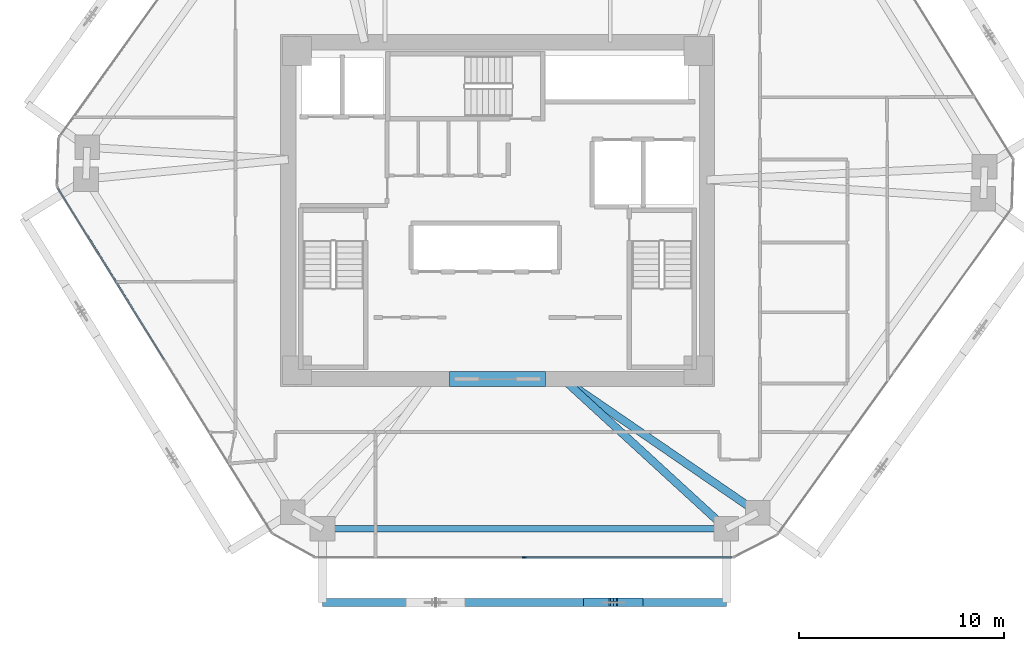
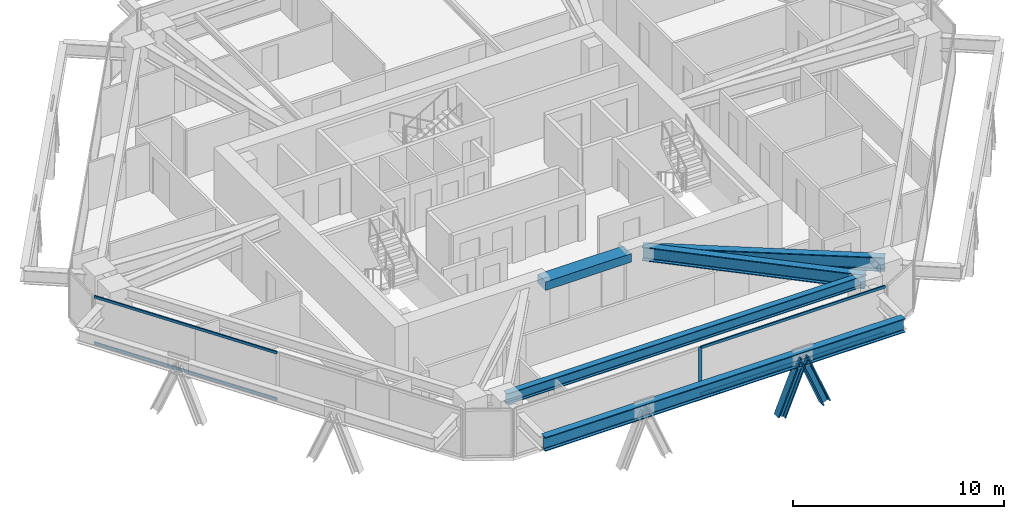
# One storey, part 3 of 17: 7 members, 5 beams, 2 elements without a shape of their own.
"""IFC4 building model written with IfcOpenShell, lengths in metres."""

from ifc_helpers import new_model, si_unit, direction, frame, origin, origin_2d, place, context, subcontext, project, spatial, rectangle, i_section, extrude, source, transform, mapped, material, layer, layer_set, material_profile, profile_set, type_object, type_shapes, element, aggregate, save


model = new_model("IFC4")

# Units and contexts
model_context = context("Model", 3, precision=1e-05, world=origin(), true_north=direction((0.0, 1.0)))
body_context = subcontext(model_context, "Body", "Model", "MODEL_VIEW")
ifc_project = project(units=[si_unit("LENGTHUNIT", "METRE"), si_unit("AREAUNIT", "SQUARE_METRE"), si_unit("VOLUMEUNIT", "CUBIC_METRE"), si_unit("PLANEANGLEUNIT", "RADIAN"), si_unit("MASSUNIT", "GRAM", prefix="KILO")], contexts=[model_context])

# Site, building, storey
site_placement = place(None, origin())
site = spatial("IfcSite", under=ifc_project, at=site_placement, CompositionType="ELEMENT")
building_placement = place(site_placement, origin())
building = spatial("IfcBuilding", under=site, at=building_placement, Name="Durnholm Broadcast Tower", CompositionType="ELEMENT")
storey_placement = place(building_placement, frame((0.0, 0.0, 137.10009765625)))
storey = spatial("IfcBuildingStorey", under=building, at=storey_placement, Name="L37", CompositionType="ELEMENT", Elevation=137.10009765625)

# Beams
ifc_material_1 = material(Name="Concrete C70/85", Category="concrete")
ifc_material_profile_1 = material_profile(ifc_material_1, rectangle(XDim=0.75, YDim=0.5, at=origin_2d()), Name="RC750X500")
ifc_profile_set_1 = profile_set([ifc_material_profile_1], Name="Concrete C70/85")
beam_type_1 = type_object("IfcBeamType", Name="BM-CB-RC500", PredefinedType="LINTEL", material=ifc_profile_set_1)
shared_shape_1 = source(origin(), body_context, "Body", "SweptSolid", [
    extrude(rectangle(XDim=0.75, YDim=0.5, at=origin_2d()), origin(), (0.0, 0.0, 1.0), 4.7001953125),
])
type_shapes(beam_type_1, [shared_shape_1])
beam_1_placement = place(storey_placement, frame((-2.35009765625, -8.22509765625, 2.5048828125), z_axis=(1.0, 0.0, 0.0), x_axis=(0.0, 1.0, 0.0)))
element("IfcBeam", 1, at=beam_1_placement, inside=storey, type_object=beam_type_1, Name="L37 south core coupling lintel beam CB-S", PredefinedType="LINTEL", context=body_context, shape_type="MappedRepresentation", body=[
    mapped(shared_shape_1, transform((0.0, 0.0, 0.0), x_axis=(1.0, 0.0, 0.0), y_axis=(0.0, 1.0, 0.0), z_axis=(0.0, 0.0, 1.0), scale=1.0)),
])
ifc_material_2 = material(Name="Steel ASTM A992 Grade 50", Category="steel")
ifc_material_profile_2 = material_profile(ifc_material_2, i_section(OverallWidth=0.3291015625, OverallDepth=0.635009765625, WebThickness=0.017822265625, FlangeThickness=0.031005859375, FilletRadius=0.02783203125, at=origin_2d()), Name="W24X162")
ifc_profile_set_2 = profile_set([ifc_material_profile_2], Name="Steel ASTM A992 Grade 50")
beam_type_2 = type_object("IfcBeamType", Name="STL-SP-W24X162", PredefinedType="SPANDREL", material=ifc_profile_set_2)
shared_shape_2 = source(origin(), body_context, "Body", "SweptSolid", [
    extrude(i_section(OverallWidth=0.3291015625, OverallDepth=0.635009765625, WebThickness=0.017822265625, FlangeThickness=0.031005859375, FilletRadius=0.02783203125, at=origin_2d()), origin(), (0.0, 0.0, 1.0), 19.72802734375),
])
type_shapes(beam_type_2, [shared_shape_2])
beam_2_placement = place(storey_placement, frame((11.176025390625, -15.537109375, 2.427490234375), z_axis=(-1.0, 0.0, 0.0), x_axis=(0.0, -1.0, 0.0)))
element("IfcBeam", 2, at=beam_2_placement, inside=storey, type_object=beam_type_2, Name="L37 perimeter spandrel girder 11", PredefinedType="SPANDREL", context=body_context, shape_type="MappedRepresentation", body=[
    mapped(shared_shape_2, transform((0.0, 0.0, 0.0), x_axis=(1.0, 0.0, 0.0), y_axis=(0.0, 1.0, 0.0), z_axis=(0.0, 0.0, 1.0), scale=1.0)),
])
ifc_material_profile_3 = material_profile(ifc_material_2, i_section(OverallWidth=0.385009765625, OverallDepth=0.802978515625, WebThickness=0.023681640625, FlangeThickness=0.0419921875, FilletRadius=0.032958984375, at=origin_2d()), Name="W30X261")
ifc_profile_set_3 = profile_set([ifc_material_profile_3], Name="Steel ASTM A992 Grade 50")
beam_type_3 = type_object("IfcBeamType", Name="STL-GR-W30X261", PredefinedType="USERDEFINED", material=ifc_profile_set_3)
shared_shape_3 = source(origin(), body_context, "Body", "SweptSolid", [
    extrude(i_section(OverallWidth=0.385009765625, OverallDepth=0.802978515625, WebThickness=0.023681640625, FlangeThickness=0.0419921875, FilletRadius=0.032958984375, at=origin_2d()), origin(), (0.0, 0.0, 1.0), 11.533447265625),
])
beam_3_placement = place(storey_placement, frame((3.199951171875, -8.22509765625, 2.343505859375), z_axis=(0.824567182461, -0.565764051181, 0.0), x_axis=(0.565764051181, 0.824567182461, 0.0)))
element("IfcBeam", 3, at=beam_3_placement, inside=storey, type_object=beam_type_3, Name="L37 radial primary floor girder 10", ObjectType="GIRDER", PredefinedType="USERDEFINED", context=body_context, shape_type="MappedRepresentation", body=[
    mapped(shared_shape_3, transform((0.0, 0.0, 0.0), x_axis=(1.0, 0.0, 0.0), y_axis=(0.0, 1.0, 0.0), z_axis=(0.0, 0.0, 1.0), scale=1.0)),
])
shared_shape_4 = source(origin(), body_context, "Body", "SweptSolid", [
    extrude(i_section(OverallWidth=0.385009765625, OverallDepth=0.802978515625, WebThickness=0.023681640625, FlangeThickness=0.0419921875, FilletRadius=0.032958984375, at=origin_2d()), origin(), (0.0, 0.0, 1.0), 10.820556640625),
])
type_shapes(beam_type_3, [shared_shape_3, shared_shape_4])
beam_4_placement = place(storey_placement, frame((3.199951171875, -8.22509765625, 2.343505859375), z_axis=(0.737126042516, -0.675755279258, 0.0), x_axis=(0.675755279258, 0.737126042516, 0.0)))
element("IfcBeam", 4, at=beam_4_placement, inside=storey, type_object=beam_type_3, Name="L37 radial primary floor girder 11", ObjectType="GIRDER", PredefinedType="USERDEFINED", context=body_context, shape_type="MappedRepresentation", body=[
    mapped(shared_shape_4, transform((0.0, 0.0, 0.0), x_axis=(1.0, 0.0, 0.0), y_axis=(0.0, 1.0, 0.0), z_axis=(0.0, 0.0, 1.0), scale=1.0)),
])
ifc_material_profile_4 = material_profile(ifc_material_2, i_section(OverallWidth=0.385009765625, OverallDepth=0.802978515625, WebThickness=0.023681640625, FlangeThickness=0.0419921875, FilletRadius=0.032958984375, at=origin_2d()), Name="W30X261")
ifc_profile_set_4 = profile_set([ifc_material_profile_4], Name="Steel ASTM A992 Grade 50")
beam_type_4 = type_object("IfcBeamType", Name="BM-EXO-TIE", PredefinedType="USERDEFINED", material=ifc_profile_set_4)
shared_shape_5 = source(origin(), body_context, "Body", "SweptSolid", [
    extrude(i_section(OverallWidth=0.385009765625, OverallDepth=0.802978515625, WebThickness=0.023681640625, FlangeThickness=0.0419921875, FilletRadius=0.032958984375, at=origin_2d()), origin(), (0.0, 0.0, 1.0), 19.72802734375),
])
type_shapes(beam_type_4, [shared_shape_5])
beam_5_placement = place(storey_placement, frame((-8.552001953125, -19.136962890625, 2.008544921875), z_axis=(1.0, 0.0, 0.0), x_axis=(0.0, 1.0, 0.0)))
element("IfcBeam", 5, at=beam_5_placement, inside=storey, type_object=beam_type_4, Name="L37 exoskeleton collector spandrel F1", PredefinedType="SPANDREL", context=body_context, shape_type="MappedRepresentation", body=[
    mapped(shared_shape_5, transform((0.0, 0.0, 0.0), x_axis=(1.0, 0.0, 0.0), y_axis=(0.0, 1.0, 0.0), z_axis=(0.0, 0.0, 1.0), scale=1.0)),
])

# Members
ifc_material_3 = material(Name="Steel ASTM A913 Grade 65", Category="steel")
ifc_material_profile_5 = material_profile(ifc_material_3, i_section(OverallWidth=0.41845703125, OverallDepth=0.455078125, WebThickness=0.0419921875, FlangeThickness=0.067626953125, FilletRadius=0.030517578125, at=origin_2d()), Name="W14X370")
ifc_profile_set_5 = profile_set([ifc_material_profile_5], Name="Steel ASTM A913 Grade 65")
member_type_1 = type_object("IfcMemberType", Name="STL-DG-W14X370", PredefinedType="BRACE", material=ifc_profile_set_5)
shared_shape_6 = source(origin(), body_context, "Body", "SweptSolid", [
    extrude(i_section(OverallWidth=0.41845703125, OverallDepth=0.455078125, WebThickness=0.0419921875, FlangeThickness=0.067626953125, FilletRadius=0.030517578125, at=origin_2d()), origin(), (0.0, 0.0, 1.0), 3.243896484375),
])
member_1_placement = place(storey_placement, frame((4.41845703125, -19.136962890625, -0.991455078125), z_axis=(0.380378804119, 0.0, 0.924830776616), x_axis=(0.0, 1.0, 0.0)))
element("IfcMember", 6, at=member_1_placement, inside=storey, type_object=member_type_1, Name="L37 stand-off diagrid brace F1.D2.1", PredefinedType="BRACE", context=body_context, shape_type="MappedRepresentation", body=[
    mapped(shared_shape_6, transform((0.0, 0.0, 0.0), x_axis=(1.0, 0.0, 0.0), y_axis=(0.0, 1.0, 0.0), z_axis=(0.0, 0.0, 1.0), scale=1.0)),
])
shared_shape_7 = source(origin(), body_context, "Body", "SweptSolid", [
    extrude(i_section(OverallWidth=0.41845703125, OverallDepth=0.455078125, WebThickness=0.0419921875, FlangeThickness=0.067626953125, FilletRadius=0.030517578125, at=origin_2d()), origin(), (0.0, 0.0, 1.0), 3.24365234375),
])
type_shapes(member_type_1, [shared_shape_6, shared_shape_7])
member_2_placement = place(storey_placement, frame((6.885986328125, -19.136962890625, -0.991455078125), z_axis=(-0.380314428078, 0.0, 0.924857251578), x_axis=(0.0, -1.0, 0.0)))
element("IfcMember", 7, at=member_2_placement, inside=storey, type_object=member_type_1, Name="L37 stand-off diagrid brace F1.D2.2", PredefinedType="BRACE", context=body_context, shape_type="MappedRepresentation", body=[
    mapped(shared_shape_7, transform((0.0, 0.0, 0.0), x_axis=(1.0, 0.0, 0.0), y_axis=(0.0, 1.0, 0.0), z_axis=(0.0, 0.0, 1.0), scale=1.0)),
])

# Curtain wall, members
ifc_material_4 = material(Name="Aluminium and Solar Control IGU", Category="aluminium")
ifc_layer = layer(ifc_material_4, 0.18994140625)
ifc_layer_set = layer_set([ifc_layer], Name="Aluminium and Solar Control IGU")
curtain_wall_type = type_object("IfcCurtainWallType", Name="CW-SYS-3", PredefinedType="NOTDEFINED", material=ifc_layer_set)
curtain_wall_1_placement = place(storey_placement, origin())
curtain_wall_1 = element("IfcCurtainWall", 8, at=curtain_wall_1_placement, inside=storey, type_object=curtain_wall_type, Name="L37 curtain wall CW-Z12-VIS CW-L37-F10", PredefinedType="NOTDEFINED")
ifc_material_5 = material(Name="Aluminium 6063-T6", Category="aluminium")
ifc_material_profile_6 = material_profile(ifc_material_5, rectangle(XDim=0.070068359375, YDim=0.18994140625, at=origin_2d()), Name="CWM70X190")
ifc_profile_set_6 = profile_set([ifc_material_profile_6], Name="Aluminium 6063-T6")
member_type_2 = type_object("IfcMemberType", Name="CW-SYS-3-MUL", PredefinedType="MULLION", material=ifc_profile_set_6)
shared_shape_8 = source(origin(), body_context, "Body", "SweptSolid", [
    extrude(rectangle(XDim=0.070068359375, YDim=0.18994140625, at=origin_2d()), origin(), (0.0, 0.0, 1.0), 2.760009765625),
])
type_shapes(member_type_2, [shared_shape_8])
member_3_placement = place(storey_placement, frame((1.299560546875, -16.93701171875, 0.0), z_axis=(0.0, 0.0, 1.0), x_axis=(0.0, -1.0, 0.0)))
member_3 = element("IfcMember", 9, at=member_3_placement, type_object=member_type_2, Name="CW-Z12-VIS mullion 2", PredefinedType="MULLION", context=body_context, shape_type="MappedRepresentation", body=[
    mapped(shared_shape_8, transform((0.0, 0.0, 0.0), x_axis=(1.0, 0.0, 0.0), y_axis=(0.0, 1.0, 0.0), z_axis=(0.0, 0.0, 1.0), scale=1.0)),
])
ifc_material_profile_7 = material_profile(ifc_material_5, rectangle(XDim=0.070068359375, YDim=0.14990234375, at=origin_2d()), Name="CWT70X150")
ifc_profile_set_7 = profile_set([ifc_material_profile_7], Name="Aluminium 6063-T6")
member_type_3 = type_object("IfcMemberType", Name="CW-SYS-3-TRN", PredefinedType="USERDEFINED", material=ifc_profile_set_7)
shared_shape_9 = source(origin(), body_context, "Body", "SweptSolid", [
    extrude(rectangle(XDim=0.070068359375, YDim=0.14990234375, at=origin_2d()), origin(), (0.0, 0.0, 1.0), 10.109619140625),
])
member_4_placement = place(storey_placement, frame((11.444091796875, -16.93701171875, 0.034912109375), z_axis=(-1.0, 0.0, 0.0), x_axis=(0.0, -1.0, 0.0)))
member_4 = element("IfcMember", 10, at=member_4_placement, type_object=member_type_3, Name="CW-Z12-VIS transom 1.1", ObjectType="TRANSOM", PredefinedType="USERDEFINED", context=body_context, shape_type="MappedRepresentation", body=[
    mapped(shared_shape_9, transform((0.0, 0.0, 0.0), x_axis=(1.0, 0.0, 0.0), y_axis=(0.0, 1.0, 0.0), z_axis=(0.0, 0.0, 1.0), scale=1.0)),
])
member_5_placement = place(storey_placement, frame((11.444091796875, -16.93701171875, 2.724853515625), z_axis=(-1.0, 0.0, 0.0), x_axis=(0.0, -1.0, 0.0)))
member_5 = element("IfcMember", 11, at=member_5_placement, type_object=member_type_3, Name="CW-Z12-VIS transom 1.2", ObjectType="TRANSOM", PredefinedType="USERDEFINED", context=body_context, shape_type="MappedRepresentation", body=[
    mapped(shared_shape_9, transform((0.0, 0.0, 0.0), x_axis=(1.0, 0.0, 0.0), y_axis=(0.0, 1.0, 0.0), z_axis=(0.0, 0.0, 1.0), scale=1.0)),
])
aggregate(curtain_wall_1, [member_3, member_4, member_5])

curtain_wall_2_placement = place(storey_placement, origin())
curtain_wall_2 = element("IfcCurtainWall", 12, at=curtain_wall_2_placement, inside=storey, type_object=curtain_wall_type, Name="L37 curtain wall CW-Z12-VIS CW-L37-F12", PredefinedType="NOTDEFINED")
shared_shape_10 = source(origin(), body_context, "Body", "SweptSolid", [
    extrude(rectangle(XDim=0.070068359375, YDim=0.14990234375, at=origin_2d()), origin(), (0.0, 0.0, 1.0), 9.85888671875),
])
type_shapes(member_type_3, [shared_shape_9, shared_shape_10])
member_6_placement = place(storey_placement, frame((-16.28271484375, -7.27294921875, 0.034912109375), z_axis=(-0.527119964735, 0.849790881793, 0.0), x_axis=(-0.849790881793, -0.527119964735, 0.0)))
member_6 = element("IfcMember", 13, at=member_6_placement, type_object=member_type_3, Name="CW-Z12-VIS transom 2.1", ObjectType="TRANSOM", PredefinedType="USERDEFINED", context=body_context, shape_type="MappedRepresentation", body=[
    mapped(shared_shape_10, transform((0.0, 0.0, 0.0), x_axis=(1.0, 0.0, 0.0), y_axis=(0.0, 1.0, 0.0), z_axis=(0.0, 0.0, 1.0), scale=1.0)),
])
member_7_placement = place(storey_placement, frame((-16.28271484375, -7.27294921875, 2.724853515625), z_axis=(-0.527119964735, 0.849790881793, 0.0), x_axis=(-0.849790881793, -0.527119964735, 0.0)))
member_7 = element("IfcMember", 14, at=member_7_placement, type_object=member_type_3, Name="CW-Z12-VIS transom 2.2", ObjectType="TRANSOM", PredefinedType="USERDEFINED", context=body_context, shape_type="MappedRepresentation", body=[
    mapped(shared_shape_10, transform((0.0, 0.0, 0.0), x_axis=(1.0, 0.0, 0.0), y_axis=(0.0, 1.0, 0.0), z_axis=(0.0, 0.0, 1.0), scale=1.0)),
])
aggregate(curtain_wall_2, [member_6, member_7])

save(model, "model.ifc")
